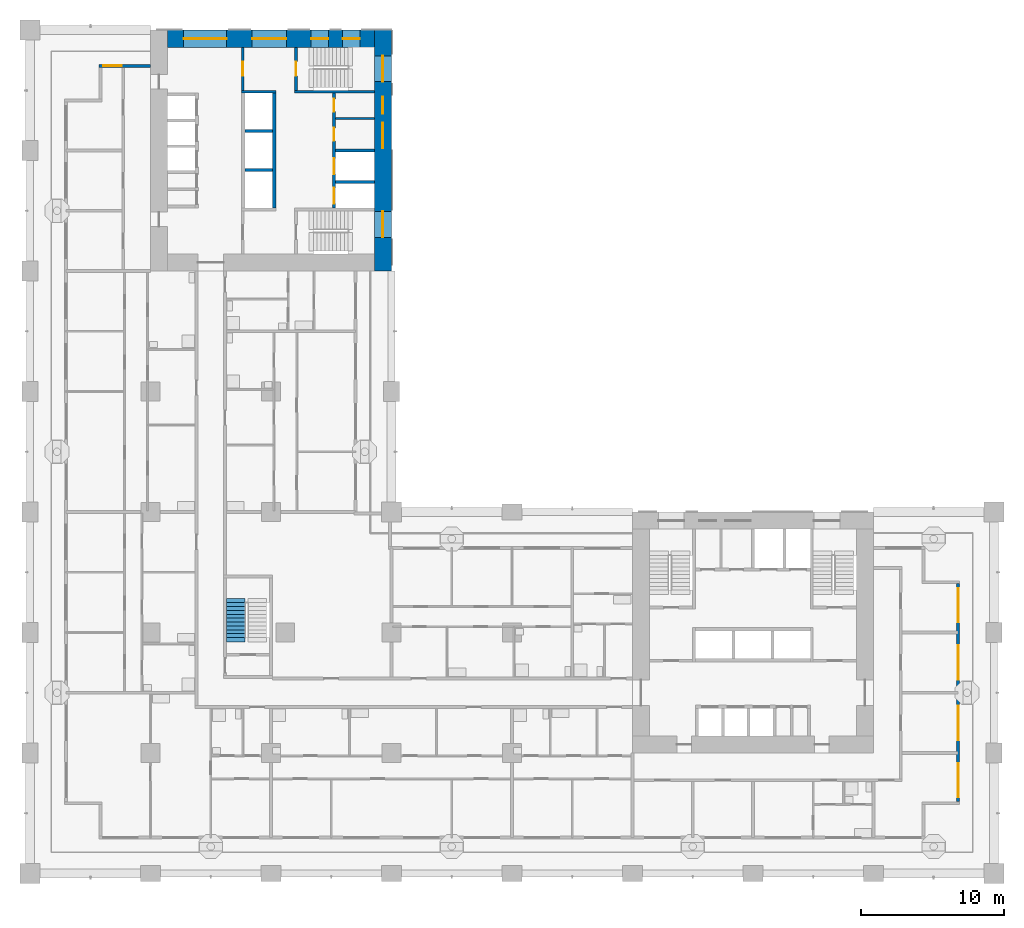
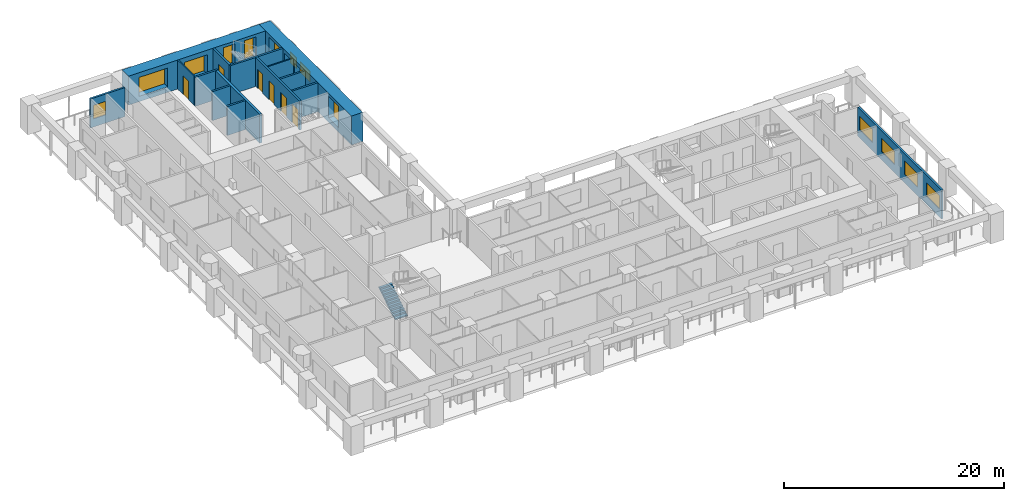
# One storey, part 9 of 20: 15 walls, 13 windows, 6 doors, 1 stair flight, 19 openings, 1 element without a shape of its own.
"""IFC4 building model written with IfcOpenShell, lengths in metres."""

from ifc_helpers import new_model, si_unit, direction, frame, frame_2d, origin, place, context, subcontext, project, spatial, polyline, rectangle, outline, extrude, material, layer, layer_set, type_object, element, fill, aggregate, save


model = new_model("IFC4")

# Units and contexts
model_context = context("Model", 3, precision=1e-05, world=origin(), true_north=direction((0.0, 1.0)))
body_context = subcontext(model_context, "Body", "Model", "MODEL_VIEW")
ifc_project = project(units=[si_unit("LENGTHUNIT", "METRE"), si_unit("AREAUNIT", "SQUARE_METRE"), si_unit("VOLUMEUNIT", "CUBIC_METRE"), si_unit("PLANEANGLEUNIT", "RADIAN"), si_unit("MASSUNIT", "GRAM", prefix="KILO")], contexts=[model_context])

# Site, building, storey
site_placement = place(None, origin())
site = spatial("IfcSite", under=ifc_project, at=site_placement, CompositionType="ELEMENT")
building_placement = place(site_placement, origin())
building = spatial("IfcBuilding", under=site, at=building_placement, Name="Vermilion Gate Residences", CompositionType="ELEMENT")
storey_placement = place(building_placement, frame((0.0, 0.0, 35.699951171875)))
storey = spatial("IfcBuildingStorey", under=building, at=storey_placement, Name="L07", CompositionType="ELEMENT", Elevation=35.699951171875)

# Wall
ifc_material_1 = material(Name="Masonry blockwork", Category="masonry")
ifc_layer_1 = layer(ifc_material_1, 0.14990234375)
ifc_layer_set_1 = layer_set([ifc_layer_1], Name="BLOCKWORK PARTITION 150 EI 120")
wall_type_1 = type_object("IfcWallType", Name="BLOCKWORK PARTITION 150 EI 120", PredefinedType="PARTITIONING", material=ifc_layer_set_1)
wall_1_placement = place(storey_placement, frame((21.300048828125, 52.637451171875, 0.0), z_axis=(0.0, 0.0, 1.0), x_axis=(1.0, 0.0, 0.0)))
element("IfcWall", 1, at=wall_1_placement, inside=storey, type_object=wall_type_1, Name="Core room partition B07-NR-P0", PredefinedType="PARTITIONING", context=body_context, shape_type="SweptSolid", body=[
    extrude(rectangle(XDim=2.699951171875, YDim=0.14990234375, at=frame_2d((1.35009765625, 0.0))), origin(), (0.0, 0.0, 1.0), 3.219970703125),
])

# Wall, opening, door
wall_2_placement = place(storey_placement, frame((14.824951171875, 57.60009765625, 0.0), z_axis=(0.0, 0.0, 1.0), x_axis=(0.0, -1.0, 0.0)))
wall_2 = element("IfcWall", 2, at=wall_2_placement, inside=storey, type_object=wall_type_1, Name="Core room partition B07-VW-S", PredefinedType="PARTITIONING", context=body_context, shape_type="SweptSolid", body=[
    extrude(rectangle(XDim=3.0, YDim=0.14990234375, at=frame_2d((1.5, 0.0))), origin(), (0.0, 0.0, 1.0), 3.219970703125),
])
opening_1_placement = place(wall_2_placement, frame((1.0, 0.0, 0.0)))
opening_1 = element("IfcOpeningElement", 3, at=opening_1_placement, cuts=wall_2, Name="Opening DK07113", PredefinedType="OPENING", context=body_context, shape_type="SweptSolid", body=[
    extrude(rectangle(XDim=1.0, YDim=2.10009765625, at=frame_2d((0.5, 1.050048828125))), frame((0.0, 0.0849609375, 0.0), z_axis=(0.0, -1.0, 0.0), x_axis=(1.0, 0.0, 0.0)), (0.0, 0.0, 1.0), 0.169921875),
])
ifc_material_2 = material(Name="Steel", Category="steel")
door_type_1 = type_object("IfcDoorType", Name="FIRE DOOR FD60 1000 X 2100", OperationType="SINGLE_SWING_LEFT", PredefinedType="DOOR", material=ifc_material_2)
door_1_placement = place(opening_1_placement, frame((1.0, 0.0, 0.0), z_axis=(0.0, 0.0, 1.0), x_axis=(-1.0, 0.0, 0.0)))
door_1 = element("IfcDoor", 4, at=door_1_placement, inside=storey, type_object=door_type_1, Name="Stair vestibule door B07", OperationType="SINGLE_SWING_RIGHT", OverallHeight=2.10009765625, OverallWidth=1.0, PredefinedType="DOOR", context=body_context, shape_type="SweptSolid", body=[
    extrude(rectangle(XDim=1.0, YDim=2.10009765625, at=frame_2d((0.5, 1.050048828125))), frame((0.0, 0.02490234375, 0.0), z_axis=(0.0, -1.0, 0.0), x_axis=(1.0, 0.0, 0.0)), (0.0, 0.0, 1.0), 0.050048828125),
])
fill(opening_1, door_1)

# Wall, opening, window
ifc_material_3 = material(Name="Insulated steel stud wall with terracotta rainscreen", Category="masonry")
ifc_layer_2 = layer(ifc_material_3, 0.199951171875)
ifc_layer_set_2 = layer_set([ifc_layer_2], Name="EXTERNAL WALL 200 TERRACOTTA RAINSCREEN")
wall_type_2 = type_object("IfcWallType", Name="EXTERNAL WALL 200 TERRACOTTA RAINSCREEN", PredefinedType="SOLIDWALL", material=ifc_layer_set_2)
wall_3_placement = place(storey_placement, frame((8.39990234375, 56.300048828125, 0.0), z_axis=(0.0, 0.0, 1.0), x_axis=(-1.0, 0.0, 0.0)))
wall_3 = element("IfcWall", 5, at=wall_3_placement, inside=storey, type_object=wall_type_2, Name="External wall", PredefinedType="SOLIDWALL", context=body_context, shape_type="SweptSolid", body=[
    extrude(rectangle(XDim=3.599853515625, YDim=0.199951171875, at=frame_2d((1.7998046875, 0.0))), origin(), (0.0, 0.0, 1.0), 3.219970703125),
])
opening_2_placement = place(wall_3_placement, frame((2.0, 0.0, 0.89990234375)))
opening_2 = element("IfcOpeningElement", 6, at=opening_2_placement, cuts=wall_3, Name="Opening WE07001", PredefinedType="OPENING", context=body_context, shape_type="SweptSolid", body=[
    extrude(rectangle(XDim=1.300048828125, YDim=1.5, at=frame_2d((0.64990234375, 0.75))), frame((0.0, 0.10986328125, 0.0), z_axis=(0.0, -1.0, 0.0), x_axis=(1.0, 0.0, 0.0)), (0.0, 0.0, 1.0), 0.219970703125),
])
ifc_material_4 = material(Name="Aluminium and clear glass", Category="aluminium")
window_type_1 = type_object("IfcWindowType", Name="WINDOW 1300 X 1500", PartitioningType="SINGLE_PANEL", PredefinedType="WINDOW", material=ifc_material_4)
window_1_placement = place(opening_2_placement, origin())
window_1 = element("IfcWindow", 7, at=window_1_placement, inside=storey, type_object=window_type_1, Name="Window", OverallHeight=1.5, OverallWidth=1.300048828125, PartitioningType="SINGLE_PANEL", PredefinedType="WINDOW", context=body_context, shape_type="SweptSolid", body=[
    extrude(rectangle(XDim=1.300048828125, YDim=1.5, at=frame_2d((0.64990234375, 0.75))), frame((0.0, 0.030029296875, 0.0), z_axis=(0.0, -1.0, 0.0), x_axis=(1.0, 0.0, 0.0)), (0.0, 0.0, 1.0), 0.06005859375),
])
fill(opening_2, window_1)

# Wall, openings, windows
wall_4_placement = place(storey_placement, frame((64.699951171875, 5.0, 0.0), z_axis=(0.0, 0.0, 1.0), x_axis=(0.0, 1.0, 0.0)))
wall_4 = element("IfcWall", 8, at=wall_4_placement, inside=storey, type_object=wall_type_2, Name="External wall", PredefinedType="SOLIDWALL", context=body_context, shape_type="SweptSolid", body=[
    extrude(rectangle(XDim=15.199951171875, YDim=0.199951171875, at=frame_2d((7.60009765625, 0.0))), origin(), (0.0, 0.0, 1.0), 3.219970703125),
])
opening_3_placement = place(wall_4_placement, frame((0.300048828125, 0.0, 0.89990234375)))
opening_3 = element("IfcOpeningElement", 9, at=opening_3_placement, cuts=wall_4, Name="Opening WE07028", PredefinedType="OPENING", context=body_context, shape_type="SweptSolid", body=[
    extrude(rectangle(XDim=2.39990234375, YDim=1.5, at=frame_2d((1.199951171875, 0.75))), frame((0.0, 0.10986328125, 0.0), z_axis=(0.0, -1.0, 0.0), x_axis=(1.0, 0.0, 0.0)), (0.0, 0.0, 1.0), 0.219970703125),
])
opening_4_placement = place(wall_4_placement, frame((4.300048828125, 0.0, 0.89990234375)))
opening_4 = element("IfcOpeningElement", 10, at=opening_4_placement, cuts=wall_4, Name="Opening WE07029", PredefinedType="OPENING", context=body_context, shape_type="SweptSolid", body=[
    extrude(rectangle(XDim=2.39990234375, YDim=1.5, at=frame_2d((1.199951171875, 0.75))), frame((0.0, 0.10986328125, 0.0), z_axis=(0.0, -1.0, 0.0), x_axis=(1.0, 0.0, 0.0)), (0.0, 0.0, 1.0), 0.219970703125),
])
opening_5_placement = place(wall_4_placement, frame((8.5, 0.0, 0.89990234375)))
opening_5 = element("IfcOpeningElement", 11, at=opening_5_placement, cuts=wall_4, Name="Opening WE07030", PredefinedType="OPENING", context=body_context, shape_type="SweptSolid", body=[
    extrude(rectangle(XDim=2.39990234375, YDim=1.5, at=frame_2d((1.199951171875, 0.75))), frame((0.0, 0.10986328125, 0.0), z_axis=(0.0, -1.0, 0.0), x_axis=(1.0, 0.0, 0.0)), (0.0, 0.0, 1.0), 0.219970703125),
])
opening_6_placement = place(wall_4_placement, frame((12.5, 0.0, 0.89990234375)))
opening_6 = element("IfcOpeningElement", 12, at=opening_6_placement, cuts=wall_4, Name="Opening WE07031", PredefinedType="OPENING", context=body_context, shape_type="SweptSolid", body=[
    extrude(rectangle(XDim=2.39990234375, YDim=1.5, at=frame_2d((1.199951171875, 0.75))), frame((0.0, 0.10986328125, 0.0), z_axis=(0.0, -1.0, 0.0), x_axis=(1.0, 0.0, 0.0)), (0.0, 0.0, 1.0), 0.219970703125),
])
ifc_material_5 = material(Name="Aluminium and clear glass", Category="aluminium")
window_type_2 = type_object("IfcWindowType", Name="WINDOW 2400 X 1500", PartitioningType="SINGLE_PANEL", PredefinedType="WINDOW", material=ifc_material_5)
window_2_placement = place(opening_3_placement, origin())
window_2 = element("IfcWindow", 13, at=window_2_placement, inside=storey, type_object=window_type_2, Name="Window", OverallHeight=1.5, OverallWidth=2.39990234375, PartitioningType="SINGLE_PANEL", PredefinedType="WINDOW", context=body_context, shape_type="SweptSolid", body=[
    extrude(rectangle(XDim=2.39990234375, YDim=1.5, at=frame_2d((1.199951171875, 0.75))), frame((0.0, 0.030029296875, 0.0), z_axis=(0.0, -1.0, 0.0), x_axis=(1.0, 0.0, 0.0)), (0.0, 0.0, 1.0), 0.06005859375),
])
fill(opening_3, window_2)
window_3_placement = place(opening_4_placement, origin())
window_3 = element("IfcWindow", 14, at=window_3_placement, inside=storey, type_object=window_type_2, Name="Window", OverallHeight=1.5, OverallWidth=2.39990234375, PartitioningType="SINGLE_PANEL", PredefinedType="WINDOW", context=body_context, shape_type="SweptSolid", body=[
    extrude(rectangle(XDim=2.39990234375, YDim=1.5, at=frame_2d((1.199951171875, 0.75))), frame((0.0, 0.030029296875, 0.0), z_axis=(0.0, -1.0, 0.0), x_axis=(1.0, 0.0, 0.0)), (0.0, 0.0, 1.0), 0.06005859375),
])
fill(opening_4, window_3)
window_4_placement = place(opening_5_placement, origin())
window_4 = element("IfcWindow", 15, at=window_4_placement, inside=storey, type_object=window_type_2, Name="Window", OverallHeight=1.5, OverallWidth=2.39990234375, PartitioningType="SINGLE_PANEL", PredefinedType="WINDOW", context=body_context, shape_type="SweptSolid", body=[
    extrude(rectangle(XDim=2.39990234375, YDim=1.5, at=frame_2d((1.199951171875, 0.75))), frame((0.0, 0.030029296875, 0.0), z_axis=(0.0, -1.0, 0.0), x_axis=(1.0, 0.0, 0.0)), (0.0, 0.0, 1.0), 0.06005859375),
])
fill(opening_5, window_4)
window_5_placement = place(opening_6_placement, origin())
window_5 = element("IfcWindow", 16, at=window_5_placement, inside=storey, type_object=window_type_2, Name="Window", OverallHeight=1.5, OverallWidth=2.39990234375, PartitioningType="SINGLE_PANEL", PredefinedType="WINDOW", context=body_context, shape_type="SweptSolid", body=[
    extrude(rectangle(XDim=2.39990234375, YDim=1.5, at=frame_2d((1.199951171875, 0.75))), frame((0.0, 0.030029296875, 0.0), z_axis=(0.0, -1.0, 0.0), x_axis=(1.0, 0.0, 0.0)), (0.0, 0.0, 1.0), 0.06005859375),
])
fill(opening_6, window_5)

# Walls
ifc_material_6 = material(Name="Concrete C60", Category="concrete")
ifc_layer_3 = layer(ifc_material_6, 0.199951171875)
ifc_layer_set_3 = layer_set([ifc_layer_3], Name="RC CORE INTERNAL WALL 200 C60")
wall_type_3 = type_object("IfcWallType", Name="RC CORE INTERNAL WALL 200 C60", PredefinedType="SHEAR", material=ifc_layer_set_3)
for number, where, z_axis, x_axis, name in (
    (17, (15.0, 51.7666015625, 0.0), (0.0, 0.0, 1.0), (1.0, 0.0, 0.0), "Core internal wall B07-HR-D1"),
    (18, (15.0, 49.033447265625, 0.0), (0.0, 0.0, 1.0), (1.0, 0.0, 0.0), "Core internal wall B07-HR-D2"),
):
    element("IfcWall", number, at=place(storey_placement, frame(where, z_axis=z_axis, x_axis=x_axis)), inside=storey, type_object=wall_type_3, Name=name, PredefinedType="SHEAR", context=body_context, shape_type="SweptSolid", body=[
        extrude(rectangle(XDim=1.89990234375, YDim=0.199951171875, at=frame_2d((0.949951171875, 0.0))), origin(), (0.0, 0.0, 1.0), 3.219970703125),
    ])
for number, where, z_axis, x_axis, name in (
    (19, (21.300048828125, 50.39990234375, 0.0), (0.0, 0.0, 1.0), (1.0, 0.0, 0.0), "Core internal wall B07-FF-D0"),
    (20, (21.300048828125, 48.199951171875, 0.0), (0.0, 0.0, 1.0), (1.0, 0.0, 0.0), "Core internal wall B07-FF-D1"),
):
    element("IfcWall", number, at=place(storey_placement, frame(where, z_axis=z_axis, x_axis=x_axis)), inside=storey, type_object=wall_type_3, Name=name, PredefinedType="SHEAR", context=body_context, shape_type="SweptSolid", body=[
        extrude(rectangle(XDim=2.699951171875, YDim=0.199951171875, at=frame_2d((1.35009765625, 0.0))), origin(), (0.0, 0.0, 1.0), 3.219970703125),
    ])

# Wall, openings, doors
wall_5_placement = place(storey_placement, frame((21.199951171875, 54.39990234375, 0.0), z_axis=(0.0, 0.0, 1.0), x_axis=(0.0, -1.0, 0.0)))
wall_5 = element("IfcWall", 21, at=wall_5_placement, inside=storey, type_object=wall_type_3, Name="Core internal wall B07-FF-F", PredefinedType="SHEAR", context=body_context, shape_type="SweptSolid", body=[
    extrude(rectangle(XDim=8.0, YDim=0.199951171875, at=frame_2d((4.0, 0.0))), origin(), (0.0, 0.0, 1.0), 3.219970703125),
])
opening_7_placement = place(wall_5_placement, frame((0.393798828125, 0.0, 0.0)))
opening_7 = element("IfcOpeningElement", 22, at=opening_7_placement, cuts=wall_5, Name="Opening DK07109", PredefinedType="OPENING", context=body_context, shape_type="SweptSolid", body=[
    extrude(rectangle(XDim=0.89990234375, YDim=2.10009765625, at=frame_2d((0.449951171875, 1.050048828125))), frame((0.0, 0.10986328125, 0.0), z_axis=(0.0, -1.0, 0.0), x_axis=(1.0, 0.0, 0.0)), (0.0, 0.0, 1.0), 0.219970703125),
])
opening_8_placement = place(wall_5_placement, frame((2.418701171875, 0.0, 0.0)))
opening_8 = element("IfcOpeningElement", 23, at=opening_8_placement, cuts=wall_5, Name="Opening DK07110", PredefinedType="OPENING", context=body_context, shape_type="SweptSolid", body=[
    extrude(rectangle(XDim=0.89990234375, YDim=2.10009765625, at=frame_2d((0.449951171875, 1.050048828125))), frame((0.0, 0.10986328125, 0.0), z_axis=(0.0, -1.0, 0.0), x_axis=(1.0, 0.0, 0.0)), (0.0, 0.0, 1.0), 0.219970703125),
])
opening_9_placement = place(wall_5_placement, frame((4.550048828125, 0.0, 0.0)))
opening_9 = element("IfcOpeningElement", 24, at=opening_9_placement, cuts=wall_5, Name="Opening LD", PredefinedType="OPENING", context=body_context, shape_type="SweptSolid", body=[
    extrude(rectangle(XDim=1.10009765625, YDim=2.10009765625, at=frame_2d((0.550048828125, 1.050048828125))), frame((0.0, 0.10986328125, 0.0), z_axis=(0.0, -1.0, 0.0), x_axis=(1.0, 0.0, 0.0)), (0.0, 0.0, 1.0), 0.219970703125),
])
opening_10_placement = place(wall_5_placement, frame((6.60009765625, 0.0, 0.0)))
opening_10 = element("IfcOpeningElement", 25, at=opening_10_placement, cuts=wall_5, Name="Opening LD", PredefinedType="OPENING", context=body_context, shape_type="SweptSolid", body=[
    extrude(rectangle(XDim=1.10009765625, YDim=2.10009765625, at=frame_2d((0.550048828125, 1.050048828125))), frame((0.0, 0.10986328125, 0.0), z_axis=(0.0, -1.0, 0.0), x_axis=(1.0, 0.0, 0.0)), (0.0, 0.0, 1.0), 0.219970703125),
])
ifc_material_7 = material(Name="Stainless steel", Category="steel")
door_type_2 = type_object("IfcDoorType", Name="LIFT LANDING DOOR E60 1100 X 2100", OperationType="DOUBLE_DOOR_SLIDING", PredefinedType="DOOR", material=ifc_material_7)
door_2_placement = place(opening_9_placement, origin())
door_2 = element("IfcDoor", 26, at=door_2_placement, inside=storey, type_object=door_type_2, Name="Lift landing door LFB1", OperationType="DOUBLE_DOOR_SLIDING", OverallHeight=2.10009765625, OverallWidth=1.10009765625, PredefinedType="DOOR", context=body_context, shape_type="SweptSolid", body=[
    extrude(rectangle(XDim=1.10009765625, YDim=2.10009765625, at=frame_2d((0.550048828125, 1.050048828125))), frame((0.0, 0.02490234375, 0.0), z_axis=(0.0, -1.0, 0.0), x_axis=(1.0, 0.0, 0.0)), (0.0, 0.0, 1.0), 0.050048828125),
])
fill(opening_9, door_2)
door_3_placement = place(opening_10_placement, origin())
door_3 = element("IfcDoor", 27, at=door_3_placement, inside=storey, type_object=door_type_2, Name="Lift landing door LCB1", OperationType="DOUBLE_DOOR_SLIDING", OverallHeight=2.10009765625, OverallWidth=1.10009765625, PredefinedType="DOOR", context=body_context, shape_type="SweptSolid", body=[
    extrude(rectangle(XDim=1.10009765625, YDim=2.10009765625, at=frame_2d((0.550048828125, 1.050048828125))), frame((0.0, 0.02490234375, 0.0), z_axis=(0.0, -1.0, 0.0), x_axis=(1.0, 0.0, 0.0)), (0.0, 0.0, 1.0), 0.050048828125),
])
fill(opening_10, door_3)
ifc_material_8 = material(Name="Steel", Category="steel")
door_type_3 = type_object("IfcDoorType", Name="SERVICE ROOM DOOR FD60 900 X 2100", OperationType="SINGLE_SWING_LEFT", PredefinedType="DOOR", material=ifc_material_8)
door_4_placement = place(opening_7_placement, origin())
door_4 = element("IfcDoor", 28, at=door_4_placement, inside=storey, type_object=door_type_3, Name="Communications riser B07", OperationType="SINGLE_SWING_RIGHT", OverallHeight=2.10009765625, OverallWidth=0.89990234375, PredefinedType="DOOR", context=body_context, shape_type="SweptSolid", body=[
    extrude(rectangle(XDim=0.89990234375, YDim=2.10009765625, at=frame_2d((0.449951171875, 1.050048828125))), frame((0.0, 0.02490234375, 0.0), z_axis=(0.0, -1.0, 0.0), x_axis=(1.0, 0.0, 0.0)), (0.0, 0.0, 1.0), 0.050048828125),
])
fill(opening_7, door_4)
door_5_placement = place(opening_8_placement, origin())
door_5 = element("IfcDoor", 29, at=door_5_placement, inside=storey, type_object=door_type_3, Name="Refuse room B07", OperationType="SINGLE_SWING_RIGHT", OverallHeight=2.10009765625, OverallWidth=0.89990234375, PredefinedType="DOOR", context=body_context, shape_type="SweptSolid", body=[
    extrude(rectangle(XDim=0.89990234375, YDim=2.10009765625, at=frame_2d((0.449951171875, 1.050048828125))), frame((0.0, 0.02490234375, 0.0), z_axis=(0.0, -1.0, 0.0), x_axis=(1.0, 0.0, 0.0)), (0.0, 0.0, 1.0), 0.050048828125),
])
fill(opening_8, door_5)

# Walls
wall_6_placement = place(storey_placement, frame((14.75, 54.5, 0.0), z_axis=(0.0, 0.0, 1.0), x_axis=(1.0, 0.0, 0.0)))
element("IfcWall", 30, at=wall_6_placement, inside=storey, type_object=wall_type_3, Name="Core internal wall B07-WDIV1", PredefinedType="SHEAR", context=body_context, shape_type="SweptSolid", body=[
    extrude(rectangle(XDim=2.39990234375, YDim=0.199951171875, at=frame_2d((1.199951171875, 0.0))), origin(), (0.0, 0.0, 1.0), 3.219970703125),
])
wall_7_placement = place(storey_placement, frame((18.449951171875, 54.5, 0.0), z_axis=(0.0, 0.0, 1.0), x_axis=(1.0, 0.0, 0.0)))
element("IfcWall", 31, at=wall_7_placement, inside=storey, type_object=wall_type_3, Name="Core internal wall B07-WDIV2", PredefinedType="SHEAR", context=body_context, shape_type="SweptSolid", body=[
    extrude(rectangle(XDim=5.550048828125, YDim=0.199951171875, at=frame_2d((2.77490234375, 0.0))), origin(), (0.0, 0.0, 1.0), 3.219970703125),
])

# Wall, opening, door
wall_8_placement = place(storey_placement, frame((18.550048828125, 57.60009765625, 0.0), z_axis=(0.0, 0.0, 1.0), x_axis=(0.0, -1.0, 0.0)))
wall_8 = element("IfcWall", 32, at=wall_8_placement, inside=storey, type_object=wall_type_3, Name="Core internal wall B07-STW-S", PredefinedType="SHEAR", context=body_context, shape_type="SweptSolid", body=[
    extrude(rectangle(XDim=3.0, YDim=0.199951171875, at=frame_2d((1.5, 0.0))), origin(), (0.0, 0.0, 1.0), 3.219970703125),
])
opening_11_placement = place(wall_8_placement, frame((1.0, 0.0, 0.0)))
opening_11 = element("IfcOpeningElement", 33, at=opening_11_placement, cuts=wall_8, Name="Opening DK07114", PredefinedType="OPENING", context=body_context, shape_type="SweptSolid", body=[
    extrude(rectangle(XDim=1.0, YDim=2.10009765625, at=frame_2d((0.5, 1.050048828125))), frame((0.0, 0.10986328125, 0.0), z_axis=(0.0, -1.0, 0.0), x_axis=(1.0, 0.0, 0.0)), (0.0, 0.0, 1.0), 0.219970703125),
])
door_6_placement = place(opening_11_placement, origin())
door_6 = element("IfcDoor", 34, at=door_6_placement, inside=storey, type_object=door_type_1, Name="Stair door B07", OperationType="SINGLE_SWING_LEFT", OverallHeight=2.10009765625, OverallWidth=1.0, PredefinedType="DOOR", context=body_context, shape_type="SweptSolid", body=[
    extrude(rectangle(XDim=1.0, YDim=2.10009765625, at=frame_2d((0.5, 1.050048828125))), frame((0.0, 0.02490234375, 0.0), z_axis=(0.0, -1.0, 0.0), x_axis=(1.0, 0.0, 0.0)), (0.0, 0.0, 1.0), 0.050048828125),
])
fill(opening_11, door_6)

# Wall, openings, windows
ifc_material_9 = material(Name="Concrete C80 red-oxide pigmented", Category="concrete")
ifc_layer_4 = layer(ifc_material_9, 1.199951171875)
ifc_layer_set_4 = layer_set([ifc_layer_4], Name="RC CORE WALL 1200 C80 RED OXIDE")
wall_type_4 = type_object("IfcWallType", Name="RC CORE WALL 1200 C80 RED OXIDE", PredefinedType="SHEAR", material=ifc_layer_set_4)
wall_9_placement = place(storey_placement, frame((24.60009765625, 58.800048828125, 0.0), z_axis=(0.0, 0.0, 1.0), x_axis=(0.0, -1.0, 0.0)))
wall_9 = element("IfcWall", 35, at=wall_9_placement, inside=storey, type_object=wall_type_4, Name="Core wall B07-OUT-B1", PredefinedType="SHEAR", context=body_context, shape_type="SweptSolid", body=[
    extrude(rectangle(XDim=16.800048828125, YDim=1.199951171875, at=frame_2d((8.39990234375, 0.0))), origin(), (0.0, 0.0, 1.0), 3.219970703125),
])
opening_12_placement = place(wall_9_placement, frame((1.800048828125, 0.0, 0.5)))
opening_12 = element("IfcOpeningElement", 36, at=opening_12_placement, cuts=wall_9, Name="Opening WKB0701", PredefinedType="OPENING", context=body_context, shape_type="SweptSolid", body=[
    extrude(rectangle(XDim=1.800048828125, YDim=2.39990234375, at=frame_2d((0.89990234375, 1.199951171875))), frame((0.0, 0.60986328125, 0.0), z_axis=(0.0, -1.0, 0.0), x_axis=(1.0, 0.0, 0.0)), (0.0, 0.0, 1.0), 1.219970703125),
])
opening_13_placement = place(wall_9_placement, frame((4.643798828125, 0.0, 1.60009765625)))
opening_13 = element("IfcOpeningElement", 37, at=opening_13_placement, cuts=wall_9, Name="Opening WKB0702", PredefinedType="OPENING", context=body_context, shape_type="SweptSolid", body=[
    extrude(rectangle(XDim=1.199951171875, YDim=1.199951171875, at=frame_2d((0.60009765625, 0.60009765625))), frame((0.0, 0.60986328125, 0.0), z_axis=(0.0, -1.0, 0.0), x_axis=(1.0, 0.0, 0.0)), (0.0, 0.0, 1.0), 1.219970703125),
])
opening_14_placement = place(wall_9_placement, frame((6.449951171875, 0.0, 1.60009765625)))
opening_14 = element("IfcOpeningElement", 38, at=opening_14_placement, cuts=wall_9, Name="Opening WKB0703", PredefinedType="OPENING", context=body_context, shape_type="SweptSolid", body=[
    extrude(rectangle(XDim=1.800048828125, YDim=1.199951171875, at=frame_2d((0.89990234375, 0.60009765625))), frame((0.0, 0.60986328125, 0.0), z_axis=(0.0, -1.0, 0.0), x_axis=(1.0, 0.0, 0.0)), (0.0, 0.0, 1.0), 1.219970703125),
])
opening_15_placement = place(wall_9_placement, frame((12.64990234375, 0.0, 0.5)))
opening_15 = element("IfcOpeningElement", 39, at=opening_15_placement, cuts=wall_9, Name="Opening WKB0704", PredefinedType="OPENING", context=body_context, shape_type="SweptSolid", body=[
    extrude(rectangle(XDim=1.800048828125, YDim=2.39990234375, at=frame_2d((0.89990234375, 1.199951171875))), frame((0.0, 0.60986328125, 0.0), z_axis=(0.0, -1.0, 0.0), x_axis=(1.0, 0.0, 0.0)), (0.0, 0.0, 1.0), 1.219970703125),
])
ifc_material_10 = material(Name="Aluminium frame with louvre blades", Category="aluminium")
window_type_3 = type_object("IfcWindowType", Name="CORE LOUVRE 1200 X 1200", PartitioningType="SINGLE_PANEL", PredefinedType="WINDOW", material=ifc_material_10)
window_6_placement = place(opening_13_placement, origin())
window_6 = element("IfcWindow", 40, at=window_6_placement, inside=storey, type_object=window_type_3, Name="Core louvre", OverallHeight=1.199951171875, OverallWidth=1.199951171875, PartitioningType="SINGLE_PANEL", PredefinedType="WINDOW", context=body_context, shape_type="SweptSolid", body=[
    extrude(rectangle(XDim=1.199951171875, YDim=1.199951171875, at=frame_2d((0.60009765625, 0.60009765625))), frame((0.0, 0.030029296875, 0.0), z_axis=(0.0, -1.0, 0.0), x_axis=(1.0, 0.0, 0.0)), (0.0, 0.0, 1.0), 0.06005859375),
])
fill(opening_13, window_6)
ifc_material_11 = material(Name="Aluminium frame with louvre blades", Category="aluminium")
window_type_4 = type_object("IfcWindowType", Name="CORE LOUVRE 1800 X 1200", PartitioningType="SINGLE_PANEL", PredefinedType="WINDOW", material=ifc_material_11)
window_7_placement = place(opening_14_placement, origin())
window_7 = element("IfcWindow", 41, at=window_7_placement, inside=storey, type_object=window_type_4, Name="Core louvre", OverallHeight=1.199951171875, OverallWidth=1.800048828125, PartitioningType="SINGLE_PANEL", PredefinedType="WINDOW", context=body_context, shape_type="SweptSolid", body=[
    extrude(rectangle(XDim=1.800048828125, YDim=1.199951171875, at=frame_2d((0.89990234375, 0.60009765625))), frame((0.0, 0.030029296875, 0.0), z_axis=(0.0, -1.0, 0.0), x_axis=(1.0, 0.0, 0.0)), (0.0, 0.0, 1.0), 0.06005859375),
])
fill(opening_14, window_7)
ifc_material_12 = material(Name="Aluminium and clear glass", Category="aluminium")
window_type_5 = type_object("IfcWindowType", Name="CORE STAIR WINDOW 1800 X 2400", PartitioningType="SINGLE_PANEL", PredefinedType="WINDOW", material=ifc_material_12)
window_8_placement = place(opening_12_placement, origin())
window_8 = element("IfcWindow", 42, at=window_8_placement, inside=storey, type_object=window_type_5, Name="Core stair window", OverallHeight=2.39990234375, OverallWidth=1.800048828125, PartitioningType="SINGLE_PANEL", PredefinedType="WINDOW", context=body_context, shape_type="SweptSolid", body=[
    extrude(rectangle(XDim=1.800048828125, YDim=2.39990234375, at=frame_2d((0.89990234375, 1.199951171875))), frame((0.0, 0.030029296875, 0.0), z_axis=(0.0, -1.0, 0.0), x_axis=(1.0, 0.0, 0.0)), (0.0, 0.0, 1.0), 0.06005859375),
])
fill(opening_12, window_8)
window_9_placement = place(opening_15_placement, origin())
window_9 = element("IfcWindow", 43, at=window_9_placement, inside=storey, type_object=window_type_5, Name="Core stair window", OverallHeight=2.39990234375, OverallWidth=1.800048828125, PartitioningType="SINGLE_PANEL", PredefinedType="WINDOW", context=body_context, shape_type="SweptSolid", body=[
    extrude(rectangle(XDim=1.800048828125, YDim=2.39990234375, at=frame_2d((0.89990234375, 1.199951171875))), frame((0.0, 0.030029296875, 0.0), z_axis=(0.0, -1.0, 0.0), x_axis=(1.0, 0.0, 0.0)), (0.0, 0.0, 1.0), 0.06005859375),
])
fill(opening_15, window_9)

wall_10_placement = place(storey_placement, frame((9.60009765625, 58.199951171875, 0.0), z_axis=(0.0, 0.0, 1.0), x_axis=(1.0, 0.0, 0.0)))
wall_10 = element("IfcWall", 44, at=wall_10_placement, inside=storey, type_object=wall_type_4, Name="Core wall B07-OUT-FR", PredefinedType="SHEAR", context=body_context, shape_type="SweptSolid", body=[
    extrude(rectangle(XDim=14.39990234375, YDim=1.199951171875, at=frame_2d((7.199951171875, 0.0))), origin(), (0.0, 0.0, 1.0), 3.219970703125),
])
opening_16_placement = place(wall_10_placement, frame((1.10498046875, 0.0, 0.60009765625)))
opening_16 = element("IfcOpeningElement", 45, at=opening_16_placement, cuts=wall_10, Name="Opening WKB0705", PredefinedType="OPENING", context=body_context, shape_type="SweptSolid", body=[
    extrude(rectangle(XDim=3.0, YDim=2.10009765625, at=frame_2d((1.5, 1.050048828125))), frame((0.0, 0.60986328125, 0.0), z_axis=(0.0, -1.0, 0.0), x_axis=(1.0, 0.0, 0.0)), (0.0, 0.0, 1.0), 1.219970703125),
])
opening_17_placement = place(wall_10_placement, frame((5.875, 0.0, 0.60009765625)))
opening_17 = element("IfcOpeningElement", 46, at=opening_17_placement, cuts=wall_10, Name="Opening WKB0706", PredefinedType="OPENING", context=body_context, shape_type="SweptSolid", body=[
    extrude(rectangle(XDim=2.39990234375, YDim=2.10009765625, at=frame_2d((1.199951171875, 1.050048828125))), frame((0.0, 0.60986328125, 0.0), z_axis=(0.0, -1.0, 0.0), x_axis=(1.0, 0.0, 0.0)), (0.0, 0.0, 1.0), 1.219970703125),
])
opening_18_placement = place(wall_10_placement, frame((9.993408203125, 0.0, 0.5)))
opening_18 = element("IfcOpeningElement", 47, at=opening_18_placement, cuts=wall_10, Name="Opening WKB0707", PredefinedType="OPENING", context=body_context, shape_type="SweptSolid", body=[
    extrude(rectangle(XDim=1.199951171875, YDim=2.39990234375, at=frame_2d((0.60009765625, 1.199951171875))), frame((0.0, 0.60986328125, 0.0), z_axis=(0.0, -1.0, 0.0), x_axis=(1.0, 0.0, 0.0)), (0.0, 0.0, 1.0), 1.219970703125),
])
opening_19_placement = place(wall_10_placement, frame((12.19677734375, 0.0, 0.5)))
opening_19 = element("IfcOpeningElement", 48, at=opening_19_placement, cuts=wall_10, Name="Opening WKB0708", PredefinedType="OPENING", context=body_context, shape_type="SweptSolid", body=[
    extrude(rectangle(XDim=1.199951171875, YDim=2.39990234375, at=frame_2d((0.60009765625, 1.199951171875))), frame((0.0, 0.60986328125, 0.0), z_axis=(0.0, -1.0, 0.0), x_axis=(1.0, 0.0, 0.0)), (0.0, 0.0, 1.0), 1.219970703125),
])
ifc_material_13 = material(Name="Aluminium and clear glass", Category="aluminium")
window_type_6 = type_object("IfcWindowType", Name="CORE LOBBY WINDOW 2400 X 2100", PartitioningType="SINGLE_PANEL", PredefinedType="WINDOW", material=ifc_material_13)
window_10_placement = place(opening_17_placement, origin())
window_10 = element("IfcWindow", 49, at=window_10_placement, inside=storey, type_object=window_type_6, Name="Core lobby window", OverallHeight=2.10009765625, OverallWidth=2.39990234375, PartitioningType="SINGLE_PANEL", PredefinedType="WINDOW", context=body_context, shape_type="SweptSolid", body=[
    extrude(rectangle(XDim=2.39990234375, YDim=2.10009765625, at=frame_2d((1.199951171875, 1.050048828125))), frame((0.0, 0.030029296875, 0.0), z_axis=(0.0, -1.0, 0.0), x_axis=(1.0, 0.0, 0.0)), (0.0, 0.0, 1.0), 0.06005859375),
])
fill(opening_17, window_10)
ifc_material_14 = material(Name="Aluminium and clear glass", Category="aluminium")
window_type_7 = type_object("IfcWindowType", Name="CORE LOBBY WINDOW 3000 X 2100", PartitioningType="SINGLE_PANEL", PredefinedType="WINDOW", material=ifc_material_14)
window_11_placement = place(opening_16_placement, origin())
window_11 = element("IfcWindow", 50, at=window_11_placement, inside=storey, type_object=window_type_7, Name="Core lobby window", OverallHeight=2.10009765625, OverallWidth=3.0, PartitioningType="SINGLE_PANEL", PredefinedType="WINDOW", context=body_context, shape_type="SweptSolid", body=[
    extrude(rectangle(XDim=3.0, YDim=2.10009765625, at=frame_2d((1.5, 1.050048828125))), frame((0.0, 0.030029296875, 0.0), z_axis=(0.0, -1.0, 0.0), x_axis=(1.0, 0.0, 0.0)), (0.0, 0.0, 1.0), 0.06005859375),
])
fill(opening_16, window_11)
ifc_material_15 = material(Name="Aluminium and clear glass", Category="aluminium")
window_type_8 = type_object("IfcWindowType", Name="CORE STAIR WINDOW 1200 X 2400", PartitioningType="SINGLE_PANEL", PredefinedType="WINDOW", material=ifc_material_15)
window_12_placement = place(opening_18_placement, origin())
window_12 = element("IfcWindow", 51, at=window_12_placement, inside=storey, type_object=window_type_8, Name="Core stair window", OverallHeight=2.39990234375, OverallWidth=1.199951171875, PartitioningType="SINGLE_PANEL", PredefinedType="WINDOW", context=body_context, shape_type="SweptSolid", body=[
    extrude(rectangle(XDim=1.199951171875, YDim=2.39990234375, at=frame_2d((0.60009765625, 1.199951171875))), frame((0.0, 0.030029296875, 0.0), z_axis=(0.0, -1.0, 0.0), x_axis=(1.0, 0.0, 0.0)), (0.0, 0.0, 1.0), 0.06005859375),
])
fill(opening_18, window_12)
window_13_placement = place(opening_19_placement, origin())
window_13 = element("IfcWindow", 52, at=window_13_placement, inside=storey, type_object=window_type_8, Name="Core stair window", OverallHeight=2.39990234375, OverallWidth=1.199951171875, PartitioningType="SINGLE_PANEL", PredefinedType="WINDOW", context=body_context, shape_type="SweptSolid", body=[
    extrude(rectangle(XDim=1.199951171875, YDim=2.39990234375, at=frame_2d((0.60009765625, 1.199951171875))), frame((0.0, 0.030029296875, 0.0), z_axis=(0.0, -1.0, 0.0), x_axis=(1.0, 0.0, 0.0)), (0.0, 0.0, 1.0), 0.06005859375),
])
fill(opening_19, window_13)

# Wall
ifc_material_16 = material(Name="Concrete C60", Category="concrete")
ifc_layer_5 = layer(ifc_material_16, 0.25)
ifc_layer_set_5 = layer_set([ifc_layer_5], Name="RC LIFT SHAFT WALL 250 C60")
wall_type_5 = type_object("IfcWallType", Name="RC LIFT SHAFT WALL 250 C60", PredefinedType="SHEAR", material=ifc_layer_set_5)
wall_11_placement = place(storey_placement, frame((17.02490234375, 54.39990234375, 0.0), z_axis=(0.0, 0.0, 1.0), x_axis=(0.0, -1.0, 0.0)))
element("IfcWall", 53, at=wall_11_placement, inside=storey, type_object=wall_type_5, Name="Lift shaft wall B07-HR-B", PredefinedType="SHEAR", context=body_context, shape_type="SweptSolid", body=[
    extrude(rectangle(XDim=8.0, YDim=0.25, at=frame_2d((4.0, 0.0))), origin(), (0.0, 0.0, 1.0), 3.219970703125),
])

# Stair, stair flight
ifc_material_17 = material(Name="Concrete C50", Category="concrete")
stair_type = type_object("IfcStairType", Name="SPECIAL ESCAPE STAIR 1300", PredefinedType="HALF_TURN_STAIR", material=ifc_material_17)
stair_placement = place(storey_placement, origin())
stair = element("IfcStair", 54, at=stair_placement, inside=storey, type_object=stair_type, Name="Special escape stair STC1-07", PredefinedType="HALF_TURN_STAIR")
ifc_material_18 = material(Name="Concrete C50", Category="concrete")
stair_flight_type = type_object("IfcStairFlightType", Name="STAIR FLIGHT 1300 RC C50", PredefinedType="STRAIGHT", material=ifc_material_18)
stair_flight_placement = place(storey_placement, frame((14.35009765625, 16.449951171875, 0.0), z_axis=(0.0, 0.0, 1.0), x_axis=(0.0, 1.0, 0.0)))
stair_flight = element("IfcStairFlight", 55, at=stair_flight_placement, type_object=stair_flight_type, Name="STC1-07 flight 1", NumberOfRisers=10, NumberOfTreads=9, PredefinedType="STRAIGHT", RiserHeight=0.175, TreadLength=0.27, context=body_context, shape_type="SweptSolid", body=[
    extrude(outline(polyline([(-0.300048828125, -0.14990234375), (-0.300048828125, -0.030029296875), (0.0, 0.0), (0.0, 0.175048828125), (0.27001953125, 0.175048828125), (0.27001953125, 0.35009765625), (0.5400390625, 0.35009765625), (0.5400390625, 0.52490234375), (0.81005859375, 0.52490234375), (0.81005859375, 0.699951171875), (1.080078125, 0.699951171875), (1.080078125, 0.875), (1.35009765625, 0.875), (1.35009765625, 1.050048828125), (1.6201171875, 1.050048828125), (1.6201171875, 1.22509765625), (1.889892578125, 1.22509765625), (1.889892578125, 1.39990234375), (2.159912109375, 1.39990234375), (2.159912109375, 1.574951171875), (2.429931640625, 1.574951171875), (2.429931640625, 1.75), (2.72998046875, 1.719970703125), (2.72998046875, 1.60009765625), (2.429931640625, 1.396484375), (0.275634765625, 0.0), (-0.300048828125, -0.14990234375)])), frame((0.0, 0.64990234375, 0.0), z_axis=(0.0, -1.0, 0.0), x_axis=(1.0, 0.0, 0.0)), (0.0, 0.0, 1.0), 1.300048828125),
])
aggregate(stair, [stair_flight])

save(model, "model.ifc")
